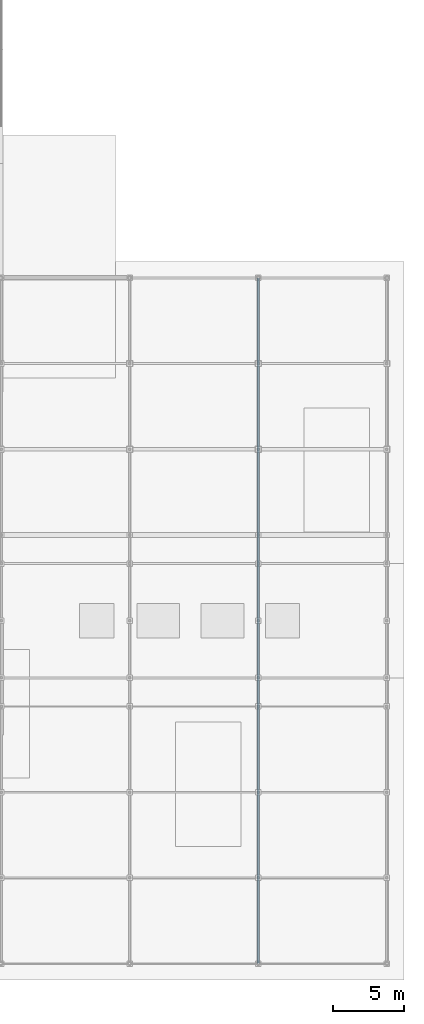
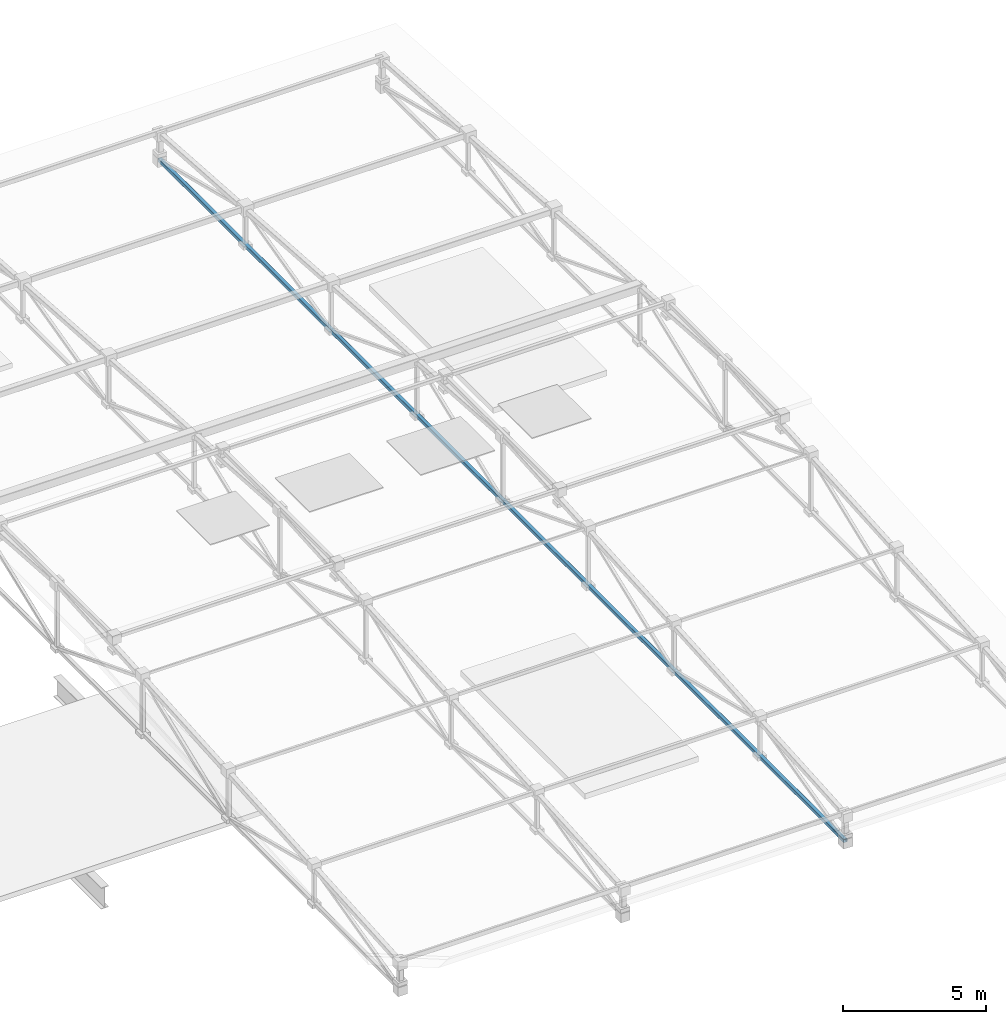
# One storey, part 27 of 85: 1 beam.
"""IFC4 building model written with IfcOpenShell, lengths in metres."""

from ifc_helpers import new_model, si_unit, direction, frame, origin, origin_2d, place, context, subcontext, project, spatial, hollow_rectangle, extrude, material, material_profile, profile_set, type_object, element, save


model = new_model("IFC4")

# Units and contexts
model_context = context("Model", 3, precision=1e-05, world=origin(), true_north=direction((0.0, 1.0)))
body_context = subcontext(model_context, "Body", "Model", "MODEL_VIEW")
ifc_project = project(units=[si_unit("LENGTHUNIT", "METRE"), si_unit("AREAUNIT", "SQUARE_METRE"), si_unit("VOLUMEUNIT", "CUBIC_METRE"), si_unit("PLANEANGLEUNIT", "RADIAN"), si_unit("MASSUNIT", "GRAM", prefix="KILO"), si_unit("THERMODYNAMICTEMPERATUREUNIT", "KELVIN"), si_unit("POWERUNIT", "WATT")], contexts=[model_context])

# Site, building, storey
site_placement = place(None, origin())
site = spatial("IfcSite", under=ifc_project, at=site_placement, CompositionType="ELEMENT")
building_placement = place(site_placement, origin())
building = spatial("IfcBuilding", under=site, at=building_placement, Name="Zelmaris Science Centre", CompositionType="ELEMENT")
storey_placement = place(building_placement, frame((0.0, 0.0, 20.39990234375)))
storey = spatial("IfcBuildingStorey", under=building, at=storey_placement, Name="L04", CompositionType="ELEMENT", Elevation=20.39990234375)

# Beam
ifc_material = material(Name="Steel ASTM A500 Grade C", Category="steel")
ifc_material_profile = material_profile(ifc_material, hollow_rectangle(XDim=0.15234375, YDim=0.15234375, WallThickness=0.0087890625, InnerFilletRadius=0.0087890625, OuterFilletRadius=0.017822265625, at=origin_2d()), Name="HSS152X152X10")
ifc_profile_set = profile_set([ifc_material_profile], Name="Steel ASTM A500 Grade C")
beam_type = type_object("IfcBeamType", Name="Beam G-21 HSS152X152X10", PredefinedType="BEAM", material=ifc_profile_set)
beam_placement = place(storey_placement, frame((126.0, 8.0, 0.947998046875), z_axis=(0.0, 1.0, 0.0), x_axis=(-1.0, 0.0, 0.0)))
element("IfcBeam", 1, at=beam_placement, inside=storey, type_object=beam_type, Name="RF-V4 Roof truss 3 bottom chord", PredefinedType="BEAM", context=body_context, shape_type="SweptSolid", body=[
    extrude(hollow_rectangle(XDim=0.15234375, YDim=0.15234375, WallThickness=0.0087890625, InnerFilletRadius=0.0087890625, OuterFilletRadius=0.017822265625, at=origin_2d()), origin(), (0.0, 0.0, 1.0), 48.0),
])

save(model, "model.ifc")
